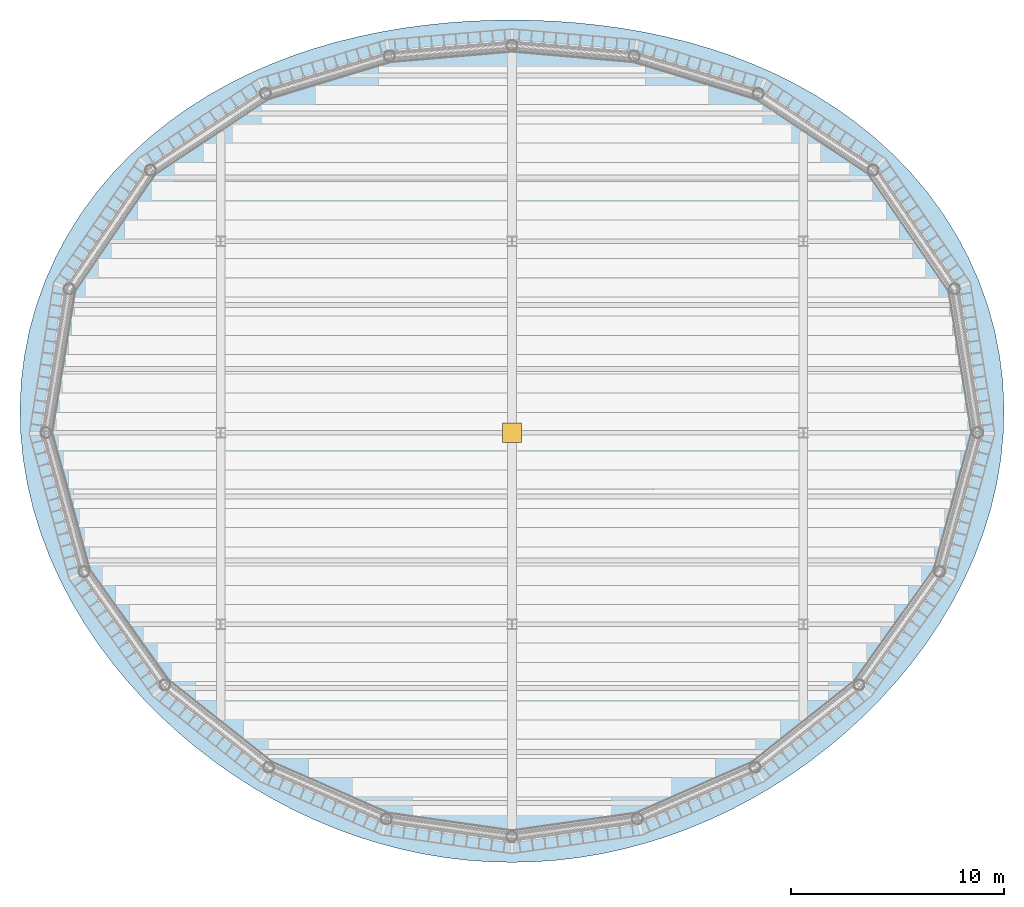
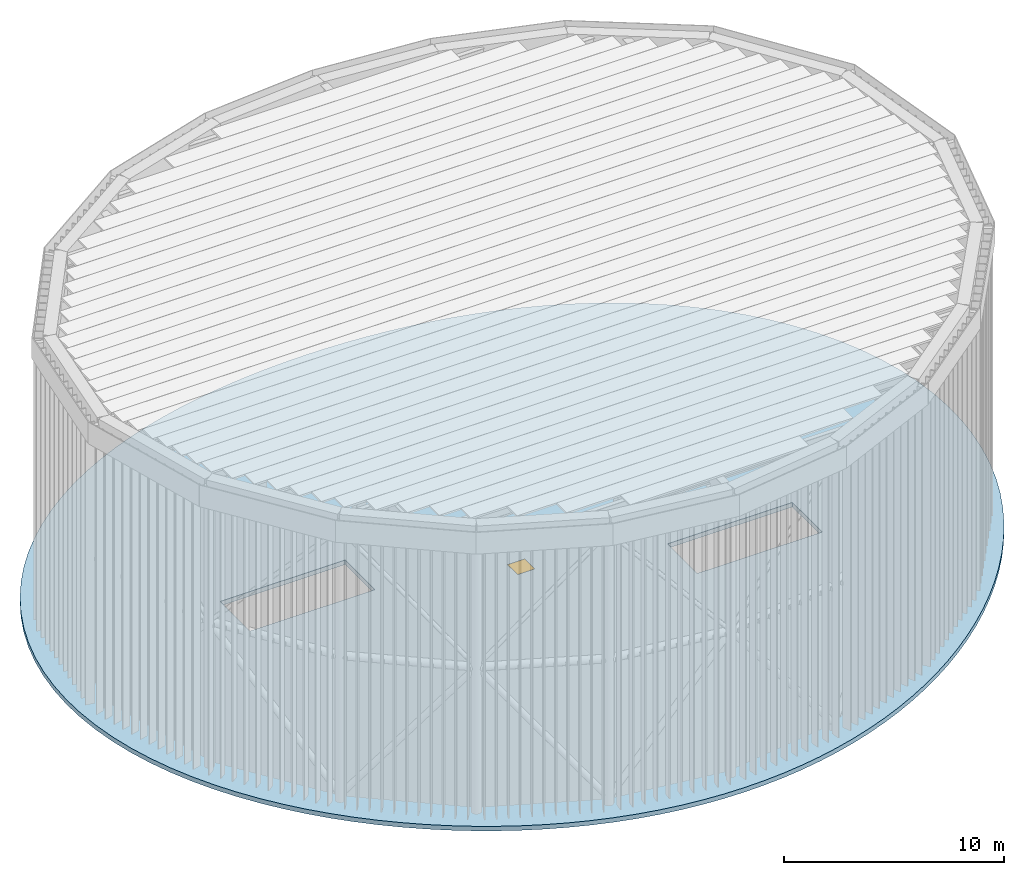
"""IFC4 building model written with IfcOpenShell, lengths in metres."""

from ifc_helpers import new_model, si_unit, direction, frame, origin, origin_2d, place, context, subcontext, project, spatial, polyline, rectangle, outline, extrude, material, layer, layer_set, type_object, element, fill, save


model = new_model("IFC4")

# Units and contexts
model_context = context("Model", 3, precision=1e-05, world=origin(), true_north=direction((0.0, 1.0)))
body_context = subcontext(model_context, "Body", "Model", "MODEL_VIEW")
ifc_project = project(units=[si_unit("LENGTHUNIT", "METRE"), si_unit("AREAUNIT", "SQUARE_METRE"), si_unit("VOLUMEUNIT", "CUBIC_METRE"), si_unit("PLANEANGLEUNIT", "RADIAN"), si_unit("MASSUNIT", "GRAM", prefix="KILO")], contexts=[model_context])

# Site, building, storey
site_placement = place(None, origin())
site = spatial("IfcSite", under=ifc_project, at=site_placement, CompositionType="ELEMENT")
building_placement = place(site_placement, origin())
building = spatial("IfcBuilding", under=site, at=building_placement, Name="Marramba Exchange Tower", CompositionType="ELEMENT")
storey_1_placement = place(building_placement, frame((0.0, 0.0, 282.0)))
storey_1 = spatial("IfcBuildingStorey", under=building, at=storey_1_placement, Name="Roof crown", CompositionType="ELEMENT", Elevation=282.0)

# Slab, opening
ifc_material_1 = material(Name="Concrete N40", Category="concrete")
ifc_layer = layer(ifc_material_1, 0.25)
ifc_layer_set = layer_set([ifc_layer], Name="Roof slab 250")
slab_type = type_object("IfcSlabType", Name="Roof slab 250", PredefinedType="ROOF", material=ifc_layer_set)
slab_placement = place(storey_1_placement, frame((0.0, 0.0, -0.25)))
slab = element("IfcSlab", 1, at=slab_placement, inside=storey_1, type_object=slab_type, Name="Roof slab over L67", PredefinedType="ROOF", context=body_context, shape_type="SweptSolid", body=[
    extrude(outline(polyline([(23.10009765625, 0.0), (23.129150390625, 1.212158203125), (23.070068359375, 2.4248046875), (22.921630859375, 3.63037109375), (22.6845703125, 4.82177734375), (22.359619140625, 5.9912109375), (21.94970703125, 7.1318359375), (21.4580078125, 8.237060546875), (20.889404296875, 9.300537109375), (20.248779296875, 10.3173828125), (19.542236328125, 11.28271484375), (18.77587890625, 12.193359375), (17.95654296875, 13.046142578125), (17.090576171875, 13.83984375), (16.18505859375, 14.572998046875), (15.245849609375, 15.245849609375), (14.279541015625, 15.85888671875), (13.291259765625, 16.413330078125), (12.28662109375, 16.9111328125), (11.270263671875, 17.3544921875), (10.24560546875, 17.745849609375), (9.21630859375, 18.088134765625), (8.185302734375, 18.38427734375), (7.154296875, 18.63720703125), (6.124755859375, 18.849853515625), (5.09765625, 19.024658203125), (4.073486328125, 19.1640625), (3.05224609375, 19.2705078125), (2.033203125, 19.344970703125), (1.01611328125, 19.389404296875), (0.0, 19.404052734375), (-1.01611328125, 19.389404296875), (-2.033203125, 19.344970703125), (-3.05224609375, 19.2705078125), (-4.073486328125, 19.1640625), (-5.09765625, 19.024658203125), (-6.124755859375, 18.849853515625), (-7.154296875, 18.63720703125), (-8.185302734375, 18.38427734375), (-9.21630859375, 18.088134765625), (-10.24560546875, 17.745849609375), (-11.270263671875, 17.3544921875), (-12.28662109375, 16.9111328125), (-13.291259765625, 16.413330078125), (-14.279541015625, 15.85888671875), (-15.245849609375, 15.245849609375), (-16.18505859375, 14.572998046875), (-17.090576171875, 13.83984375), (-17.95654296875, 13.046142578125), (-18.77587890625, 12.193359375), (-19.542236328125, 11.28271484375), (-20.248779296875, 10.3173828125), (-20.889404296875, 9.300537109375), (-21.4580078125, 8.237060546875), (-21.94970703125, 7.1318359375), (-22.359619140625, 5.9912109375), (-22.6845703125, 4.82177734375), (-22.921630859375, 3.63037109375), (-23.070068359375, 2.4248046875), (-23.129150390625, 1.212158203125), (-23.10009765625, 0.0), (-22.98486328125, -1.20458984375), (-22.78662109375, -2.39501953125), (-22.50927734375, -3.565185546875), (-22.1572265625, -4.709716796875), (-21.736083984375, -5.82421875), (-21.250732421875, -6.90478515625), (-20.706787109375, -7.948486328125), (-20.109619140625, -8.953369140625), (-19.46435546875, -9.91748046875), (-18.77587890625, -10.84033203125), (-18.048583984375, -11.720947265625), (-17.2861328125, -12.55908203125), (-16.4921875, -13.355224609375), (-15.669677734375, -14.10888671875), (-14.820556640625, -14.820556640625), (-13.947509765625, -15.490478515625), (-13.05224609375, -16.1181640625), (-12.1357421875, -16.703369140625), (-11.199951171875, -17.246337890625), (-10.24560546875, -17.745849609375), (-9.274169921875, -18.20166015625), (-8.287109375, -18.613037109375), (-7.285400390625, -18.978759765625), (-6.2705078125, -19.29833984375), (-5.243896484375, -19.570556640625), (-4.20751953125, -19.79443359375), (-3.162841796875, -19.9697265625), (-2.112060546875, -20.09521484375), (-1.05712890625, -20.1708984375), (0.0, -20.196044921875), (1.05712890625, -20.1708984375), (2.112060546875, -20.09521484375), (3.162841796875, -19.9697265625), (4.20751953125, -19.79443359375), (5.243896484375, -19.570556640625), (6.2705078125, -19.29833984375), (7.285400390625, -18.978759765625), (8.287109375, -18.613037109375), (9.274169921875, -18.20166015625), (10.24560546875, -17.745849609375), (11.199951171875, -17.246337890625), (12.1357421875, -16.703369140625), (13.05224609375, -16.1181640625), (13.947509765625, -15.490478515625), (14.820556640625, -14.820556640625), (15.669677734375, -14.10888671875), (16.4921875, -13.355224609375), (17.2861328125, -12.55908203125), (18.048583984375, -11.720947265625), (18.77587890625, -10.84033203125), (19.46435546875, -9.91748046875), (20.109619140625, -8.953369140625), (20.706787109375, -7.948486328125), (21.250732421875, -6.90478515625), (21.736083984375, -5.82421875), (22.1572265625, -4.709716796875), (22.50927734375, -3.565185546875), (22.78662109375, -2.39501953125), (22.98486328125, -1.20458984375), (23.10009765625, 0.0)]), holes=[polyline([(-13.199951171875, 1.75), (-6.64990234375, 1.75), (-6.64990234375, 4.449951171875), (-13.199951171875, 4.449951171875), (-13.199951171875, 1.75)]), polyline([(6.64990234375, -4.449951171875), (13.199951171875, -4.449951171875), (13.199951171875, -1.75), (6.64990234375, -1.75), (6.64990234375, -4.449951171875)])]), origin(), (0.0, 0.0, 1.0), 0.25),
])
opening_placement = place(slab_placement, origin())
opening = element("IfcOpeningElement", 2, at=opening_placement, cuts=slab, Name="Opening RH1", PredefinedType="OPENING", context=body_context, shape_type="SweptSolid", body=[
    extrude(rectangle(XDim=0.89990234375, YDim=0.89990234375, at=origin_2d()), origin(), (0.0, 0.0, 1.0), 0.25),
])

# Storey
storey_2_placement = place(building_placement, frame((0.0, 0.0, 277.0)))
storey_2 = spatial("IfcBuildingStorey", under=building, at=storey_2_placement, Name="L67", CompositionType="ELEMENT", Elevation=277.0)

# Door
ifc_material_2 = material(Name="Aluminium hatch", Category="aluminium")
door_type = type_object("IfcDoorType", Name="Roof access hatch 900x900", OperationType="SINGLE_SWING_LEFT", PredefinedType="TRAPDOOR", material=ifc_material_2)
door_placement = place(opening_placement, frame((0.0, 0.0, 0.199951171875)))
door = element("IfcDoor", 3, at=door_placement, inside=storey_2, type_object=door_type, Name="Roof access hatch RH1", OperationType="SINGLE_SWING_LEFT", OverallHeight=0.89990234375, OverallWidth=0.89990234375, PredefinedType="TRAPDOOR", context=body_context, shape_type="SweptSolid", body=[
    extrude(rectangle(XDim=0.89990234375, YDim=0.89990234375, at=origin_2d()), origin(), (0.0, 0.0, 1.0), 0.050048828125),
])

fill(opening, door)

save(model, "model.ifc")
